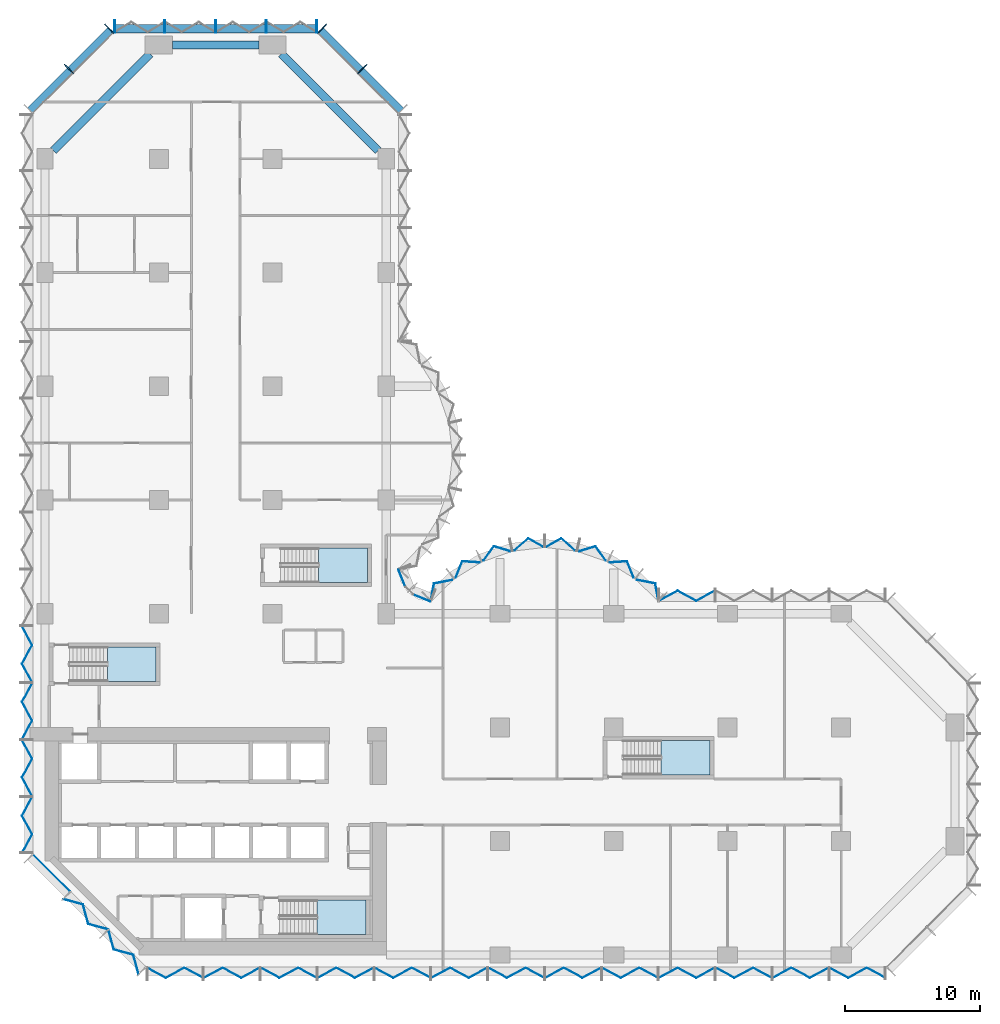
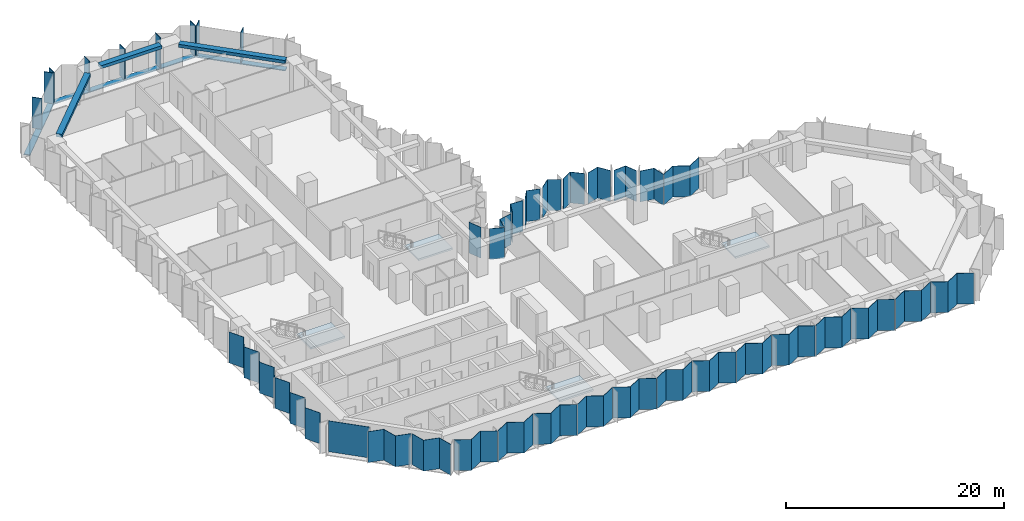
# One storey, part 5 of 15: 31 plates, 12 members, 4 slabs, 3 beams, 13 elements without a shape of their own.
"""IFC4 building model written with IfcOpenShell, lengths in metres."""

from ifc_helpers import new_model, si_unit, direction, frame, origin, origin_2d, place, context, subcontext, project, spatial, polyline, rectangle, outline, extrude, material, layer, layer_set, material_profile, profile_set, type_object, element, aggregate, save


model = new_model("IFC4")

# Units and contexts
model_context = context("Model", 3, precision=1e-05, world=origin(), true_north=direction((0.0, 1.0)))
body_context = subcontext(model_context, "Body", "Model", "MODEL_VIEW")
ifc_project = project(units=[si_unit("LENGTHUNIT", "METRE"), si_unit("AREAUNIT", "SQUARE_METRE"), si_unit("VOLUMEUNIT", "CUBIC_METRE"), si_unit("PLANEANGLEUNIT", "RADIAN"), si_unit("MASSUNIT", "GRAM", prefix="KILO")], contexts=[model_context])

# Site, building, storey
site_placement = place(None, origin())
site = spatial("IfcSite", under=ifc_project, at=site_placement, CompositionType="ELEMENT")
building_placement = place(site_placement, origin())
building = spatial("IfcBuilding", under=site, at=building_placement, Name="Brevane Broadcast Tower", CompositionType="ELEMENT")
storey_placement = place(building_placement, frame((0.0, 0.0, 83.300048828125)))
storey = spatial("IfcBuildingStorey", under=building, at=storey_placement, Name="L19", CompositionType="ELEMENT", Elevation=83.300048828125)

# Curtain wall, members
ifc_material_1 = material(Name="Aluminium 6063-T6 bronze anodised", Category="aluminium")
curtain_wall_type = type_object("IfcCurtainWallType", Name="CW-1 curtain wall", PredefinedType="NOTDEFINED", material=ifc_material_1)
curtain_wall_1_placement = place(storey_placement, origin())
curtain_wall_1 = element("IfcCurtainWall", 1, at=curtain_wall_1_placement, inside=storey, type_object=curtain_wall_type, Name="CW-1 typical tilted unit L19 north arm north-east chamfer", PredefinedType="NOTDEFINED")
ifc_material_profile_1 = material_profile(ifc_material_1, rectangle(XDim=0.949951171875, YDim=0.070068359375, at=origin_2d()), Name="RECT 70x950")
ifc_profile_set_1 = profile_set([ifc_material_profile_1], Name="Aluminium 6063-T6 bronze anodised")
member_type_1 = type_object("IfcMemberType", Name="CW-1 mullion 70x950", PredefinedType="MULLION", material=ifc_profile_set_1)
member_1_placement = place(storey_placement, frame((23.435791015625, 65.435791015625, -0.150146484375), z_axis=(0.0, 0.0, 1.0), x_axis=(-0.707106781187, -0.707106781187, 0.0)))
member_1 = element("IfcMember", 2, at=member_1_placement, type_object=member_type_1, Name="CW-1 mullion", PredefinedType="MULLION", context=body_context, shape_type="SweptSolid", body=[
    extrude(rectangle(XDim=0.949951171875, YDim=0.070068359375, at=origin_2d()), origin(), (0.0, 0.0, 1.0), 3.4501953125),
])
member_2_placement = place(storey_placement, frame((20.460693359375, 68.4111328125, -0.150146484375), z_axis=(0.0, 0.0, 1.0), x_axis=(-0.707106781187, -0.707106781187, 0.0)))
member_2 = element("IfcMember", 3, at=member_2_placement, type_object=member_type_1, Name="CW-1 mullion", PredefinedType="MULLION", context=body_context, shape_type="SweptSolid", body=[
    extrude(rectangle(XDim=0.949951171875, YDim=0.070068359375, at=origin_2d()), origin(), (0.0, 0.0, 1.0), 3.4501953125),
])

curtain_wall_2_placement = place(storey_placement, origin())
curtain_wall_2 = element("IfcCurtainWall", 4, at=curtain_wall_2_placement, inside=storey, type_object=curtain_wall_type, Name="CW-1 typical tilted unit L19 north end", PredefinedType="NOTDEFINED")
member_3_placement = place(storey_placement, frame((20.06494140625, 68.574951171875, -0.150146484375), z_axis=(0.0, 0.0, 1.0), x_axis=(0.0, -1.0, 0.0)))
member_3 = element("IfcMember", 5, at=member_3_placement, type_object=member_type_1, Name="CW-1 mullion", PredefinedType="MULLION", context=body_context, shape_type="SweptSolid", body=[
    extrude(rectangle(XDim=0.949951171875, YDim=0.070068359375, at=origin_2d()), origin(), (0.0, 0.0, 1.0), 3.4501953125),
])
member_4_placement = place(storey_placement, frame((16.35009765625, 68.574951171875, -0.150146484375), z_axis=(0.0, 0.0, 1.0), x_axis=(0.0, -1.0, 0.0)))
member_4 = element("IfcMember", 6, at=member_4_placement, type_object=member_type_1, Name="CW-1 mullion", PredefinedType="MULLION", context=body_context, shape_type="SweptSolid", body=[
    extrude(rectangle(XDim=0.949951171875, YDim=0.070068359375, at=origin_2d()), origin(), (0.0, 0.0, 1.0), 3.4501953125),
])
member_5_placement = place(storey_placement, frame((12.60009765625, 68.574951171875, -0.150146484375), z_axis=(0.0, 0.0, 1.0), x_axis=(0.0, -1.0, 0.0)))
member_5 = element("IfcMember", 7, at=member_5_placement, type_object=member_type_1, Name="CW-1 mullion", PredefinedType="MULLION", context=body_context, shape_type="SweptSolid", body=[
    extrude(rectangle(XDim=0.949951171875, YDim=0.070068359375, at=origin_2d()), origin(), (0.0, 0.0, 1.0), 3.4501953125),
])
member_6_placement = place(storey_placement, frame((8.85009765625, 68.574951171875, -0.150146484375), z_axis=(0.0, 0.0, 1.0), x_axis=(0.0, -1.0, 0.0)))
member_6 = element("IfcMember", 8, at=member_6_placement, type_object=member_type_1, Name="CW-1 mullion", PredefinedType="MULLION", context=body_context, shape_type="SweptSolid", body=[
    extrude(rectangle(XDim=0.949951171875, YDim=0.070068359375, at=origin_2d()), origin(), (0.0, 0.0, 1.0), 3.4501953125),
])
member_7_placement = place(storey_placement, frame((5.135009765625, 68.574951171875, -0.150146484375), z_axis=(0.0, 0.0, 1.0), x_axis=(0.0, -1.0, 0.0)))
member_7 = element("IfcMember", 9, at=member_7_placement, type_object=member_type_1, Name="CW-1 mullion", PredefinedType="MULLION", context=body_context, shape_type="SweptSolid", body=[
    extrude(rectangle(XDim=0.949951171875, YDim=0.070068359375, at=origin_2d()), origin(), (0.0, 0.0, 1.0), 3.4501953125),
])

curtain_wall_3_placement = place(storey_placement, origin())
curtain_wall_3 = element("IfcCurtainWall", 10, at=curtain_wall_3_placement, inside=storey, type_object=curtain_wall_type, Name="CW-1 typical tilted unit L19 north-west chamfer", PredefinedType="NOTDEFINED")
member_8_placement = place(storey_placement, frame((4.7392578125, 68.4111328125, -0.150146484375), z_axis=(0.0, 0.0, 1.0), x_axis=(0.707106781187, -0.707106781187, 0.0)))
member_8 = element("IfcMember", 11, at=member_8_placement, type_object=member_type_1, Name="CW-1 mullion", PredefinedType="MULLION", context=body_context, shape_type="SweptSolid", body=[
    extrude(rectangle(XDim=0.949951171875, YDim=0.070068359375, at=origin_2d()), origin(), (0.0, 0.0, 1.0), 3.4501953125),
])
member_9_placement = place(storey_placement, frame((1.76416015625, 65.435791015625, -0.150146484375), z_axis=(0.0, 0.0, 1.0), x_axis=(0.707106781187, -0.707106781187, 0.0)))
member_9 = element("IfcMember", 12, at=member_9_placement, type_object=member_type_1, Name="CW-1 mullion", PredefinedType="MULLION", context=body_context, shape_type="SweptSolid", body=[
    extrude(rectangle(XDim=0.949951171875, YDim=0.070068359375, at=origin_2d()), origin(), (0.0, 0.0, 1.0), 3.4501953125),
])

# Member
ifc_material_profile_2 = material_profile(ifc_material_1, rectangle(XDim=0.60009765625, YDim=0.10009765625, at=origin_2d()), Name="RECT 100x600")
ifc_profile_set_2 = profile_set([ifc_material_profile_2], Name="Aluminium 6063-T6 bronze anodised")
member_type_2 = type_object("IfcMemberType", Name="CW-1 transom 100x600", PredefinedType="USERDEFINED", material=ifc_profile_set_2)
member_10_placement = place(storey_placement, frame((26.31201171875, 62.31201171875, -0.199951171875), z_axis=(-0.707106781187, 0.707106781187, 0.0), x_axis=(-0.707106781187, -0.707106781187, 0.0)))
member_10 = element("IfcMember", 13, at=member_10_placement, type_object=member_type_2, Name="CW-1 transom", ObjectType="TRANSOM", PredefinedType="USERDEFINED", context=body_context, shape_type="SweptSolid", body=[
    extrude(rectangle(XDim=0.60009765625, YDim=0.10009765625, at=origin_2d()), origin(), (0.0, 0.0, 1.0), 8.4853515625),
])

aggregate(curtain_wall_1, [member_1, member_2, member_10])

member_11_placement = place(storey_placement, frame((20.10009765625, 68.39990234375, -0.199951171875), z_axis=(-1.0, 0.0, 0.0), x_axis=(0.0, -1.0, 0.0)))
member_11 = element("IfcMember", 14, at=member_11_placement, type_object=member_type_2, Name="CW-1 transom", ObjectType="TRANSOM", PredefinedType="USERDEFINED", context=body_context, shape_type="SweptSolid", body=[
    extrude(rectangle(XDim=0.60009765625, YDim=0.10009765625, at=origin_2d()), origin(), (0.0, 0.0, 1.0), 15.0),
])

aggregate(curtain_wall_2, [member_3, member_4, member_5, member_6, member_7, member_11])

member_12_placement = place(storey_placement, frame((4.887939453125, 68.31201171875, -0.199951171875), z_axis=(-0.707106781187, -0.707106781187, 0.0), x_axis=(0.707106781187, -0.707106781187, 0.0)))
member_12 = element("IfcMember", 15, at=member_12_placement, type_object=member_type_2, Name="CW-1 transom", ObjectType="TRANSOM", PredefinedType="USERDEFINED", context=body_context, shape_type="SweptSolid", body=[
    extrude(rectangle(XDim=0.60009765625, YDim=0.10009765625, at=origin_2d()), origin(), (0.0, 0.0, 1.0), 8.4853515625),
])

aggregate(curtain_wall_3, [member_8, member_9, member_12])

# Beams
ifc_material_2 = material(Name="Concrete C40/50", Category="concrete")
ifc_material_profile_3 = material_profile(ifc_material_2, rectangle(XDim=0.60009765625, YDim=0.35009765625, at=origin_2d()), Name="RC 600x350")
ifc_profile_set_3 = profile_set([ifc_material_profile_3], Name="Concrete C40/50")
beam_type = type_object("IfcBeamType", Name="RC SPANDREL BEAM 600x350 C40/50", PredefinedType="SPANDREL", material=ifc_profile_set_3)
beam_1_placement = place(storey_placement, frame((24.60009765625, 59.39990234375, 3.125), z_axis=(-0.707106781187, 0.707106781187, 0.0), x_axis=(-0.707106781187, -0.707106781187, 0.0)))
element("IfcBeam", 16, at=beam_1_placement, inside=storey, type_object=beam_type, Name="EB1 L19-16", PredefinedType="SPANDREL", context=body_context, shape_type="SweptSolid", body=[
    extrude(rectangle(XDim=0.60009765625, YDim=0.35009765625, at=origin_2d()), origin(), (0.0, 0.0, 1.0), 10.11181640625),
])
beam_2_placement = place(storey_placement, frame((15.800048828125, 67.199951171875, 3.125), z_axis=(-1.0, 0.0, 0.0), x_axis=(0.0, -1.0, 0.0)))
element("IfcBeam", 17, at=beam_2_placement, inside=storey, type_object=beam_type, Name="EB1 L19-17", PredefinedType="SPANDREL", context=body_context, shape_type="SweptSolid", body=[
    extrude(rectangle(XDim=0.60009765625, YDim=0.35009765625, at=origin_2d()), origin(), (0.0, 0.0, 1.0), 6.400146484375),
])
beam_3_placement = place(storey_placement, frame((7.75, 66.550048828125, 3.125), z_axis=(-0.707094708853, -0.707118853314, 0.0), x_axis=(0.707118853314, -0.707094708853, 0.0)))
element("IfcBeam", 18, at=beam_3_placement, inside=storey, type_object=beam_type, Name="EB1 L19-18", PredefinedType="SPANDREL", context=body_context, shape_type="SweptSolid", body=[
    extrude(rectangle(XDim=0.60009765625, YDim=0.35009765625, at=origin_2d()), origin(), (0.0, 0.0, 1.0), 10.111572265625),
])

# Curtain wall, plates
curtain_wall_4_placement = place(storey_placement, origin())
curtain_wall_4 = element("IfcCurtainWall", 19, at=curtain_wall_4_placement, inside=storey, type_object=curtain_wall_type, Name="CW-1 typical tilted unit L19 south face", PredefinedType="NOTDEFINED")
ifc_material_3 = material(Name="Laminated glass bronze-tinted", Category="glass")
ifc_layer_1 = layer(ifc_material_3, 0.0400390625)
ifc_layer_set_1 = layer_set([ifc_layer_1], Name="CW tall glass panel 40")
plate_type = type_object("IfcPlateType", Name="CW tall glass panel 40", PredefinedType="CURTAIN_PANEL", material=ifc_layer_set_1)
plate_1_placement = place(storey_placement, frame((0.0, 0.0, -0.150146484375)))
plate_1 = element("IfcPlate", 20, at=plate_1_placement, type_object=plate_type, Name="CW-1 glass panel", PredefinedType="CURTAIN_PANEL", context=body_context, shape_type="SweptSolid", body=[
    extrude(outline(polyline([(7.534912109375, -0.92724609375), (7.534912109375, -0.97265625), (8.91162109375, -1.717041015625), (10.288330078125, -0.97265625), (11.6650390625, -1.717041015625), (11.6650390625, -1.671630859375), (10.288330078125, -0.92724609375), (8.91162109375, -1.671630859375), (7.534912109375, -0.92724609375)])), origin(), (0.0, 0.0, 1.0), 3.4501953125),
])
plate_2_placement = place(storey_placement, frame((0.0, 0.0, -0.150146484375)))
plate_2 = element("IfcPlate", 21, at=plate_2_placement, type_object=plate_type, Name="CW-1 glass panel", PredefinedType="CURTAIN_PANEL", context=body_context, shape_type="SweptSolid", body=[
    extrude(outline(polyline([(11.735107421875, -1.671630859375), (11.735107421875, -1.717041015625), (13.11181640625, -0.97265625), (14.48828125, -1.717041015625), (15.864990234375, -0.97265625), (15.864990234375, -0.92724609375), (14.48828125, -1.671630859375), (13.11181640625, -0.92724609375), (11.735107421875, -1.671630859375)])), origin(), (0.0, 0.0, 1.0), 3.4501953125),
])
plate_3_placement = place(storey_placement, frame((0.0, 0.0, -0.150146484375)))
plate_3 = element("IfcPlate", 22, at=plate_3_placement, type_object=plate_type, Name="CW-1 glass panel", PredefinedType="CURTAIN_PANEL", context=body_context, shape_type="SweptSolid", body=[
    extrude(outline(polyline([(15.93505859375, -0.92724609375), (15.93505859375, -0.97265625), (17.311767578125, -1.717041015625), (18.688232421875, -0.97265625), (20.06494140625, -1.717041015625), (20.06494140625, -1.671630859375), (18.688232421875, -0.92724609375), (17.311767578125, -1.671630859375), (15.93505859375, -0.92724609375)])), origin(), (0.0, 0.0, 1.0), 3.4501953125),
])
plate_4_placement = place(storey_placement, frame((0.0, 0.0, -0.150146484375)))
plate_4 = element("IfcPlate", 23, at=plate_4_placement, type_object=plate_type, Name="CW-1 glass panel", PredefinedType="CURTAIN_PANEL", context=body_context, shape_type="SweptSolid", body=[
    extrude(outline(polyline([(20.135009765625, -1.671630859375), (20.135009765625, -1.717041015625), (21.51171875, -0.97265625), (22.88818359375, -1.717041015625), (24.264892578125, -0.97265625), (24.264892578125, -0.92724609375), (22.88818359375, -1.671630859375), (21.51171875, -0.92724609375), (20.135009765625, -1.671630859375)])), origin(), (0.0, 0.0, 1.0), 3.4501953125),
])
plate_5_placement = place(storey_placement, frame((0.0, 0.0, -0.150146484375)))
plate_5 = element("IfcPlate", 24, at=plate_5_placement, type_object=plate_type, Name="CW-1 glass panel", PredefinedType="CURTAIN_PANEL", context=body_context, shape_type="SweptSolid", body=[
    extrude(outline(polyline([(24.3349609375, -0.92724609375), (24.3349609375, -0.97265625), (25.711669921875, -1.717041015625), (27.08837890625, -0.97265625), (28.465087890625, -1.717041015625), (28.465087890625, -1.671630859375), (27.08837890625, -0.92724609375), (25.711669921875, -1.671630859375), (24.3349609375, -0.92724609375)])), origin(), (0.0, 0.0, 1.0), 3.4501953125),
])
plate_6_placement = place(storey_placement, frame((0.0, 0.0, -0.150146484375)))
plate_6 = element("IfcPlate", 25, at=plate_6_placement, type_object=plate_type, Name="CW-1 glass panel", PredefinedType="CURTAIN_PANEL", context=body_context, shape_type="SweptSolid", body=[
    extrude(outline(polyline([(28.534912109375, -1.671630859375), (28.534912109375, -1.717041015625), (29.91162109375, -0.97265625), (31.288330078125, -1.717041015625), (32.6650390625, -0.97265625), (32.6650390625, -0.92724609375), (31.288330078125, -1.671630859375), (29.91162109375, -0.92724609375), (28.534912109375, -1.671630859375)])), origin(), (0.0, 0.0, 1.0), 3.4501953125),
])
plate_7_placement = place(storey_placement, frame((0.0, 0.0, -0.150146484375)))
plate_7 = element("IfcPlate", 26, at=plate_7_placement, type_object=plate_type, Name="CW-1 glass panel", PredefinedType="CURTAIN_PANEL", context=body_context, shape_type="SweptSolid", body=[
    extrude(outline(polyline([(32.735107421875, -0.92724609375), (32.735107421875, -0.97265625), (34.11181640625, -1.717041015625), (35.48828125, -0.97265625), (36.864990234375, -1.717041015625), (36.864990234375, -1.671630859375), (35.48828125, -0.92724609375), (34.11181640625, -1.671630859375), (32.735107421875, -0.92724609375)])), origin(), (0.0, 0.0, 1.0), 3.4501953125),
])
plate_8_placement = place(storey_placement, frame((0.0, 0.0, -0.150146484375)))
plate_8 = element("IfcPlate", 27, at=plate_8_placement, type_object=plate_type, Name="CW-1 glass panel", PredefinedType="CURTAIN_PANEL", context=body_context, shape_type="SweptSolid", body=[
    extrude(outline(polyline([(36.93505859375, -1.671630859375), (36.93505859375, -1.717041015625), (38.311767578125, -0.97265625), (39.688232421875, -1.717041015625), (41.06494140625, -0.97265625), (41.06494140625, -0.92724609375), (39.688232421875, -1.671630859375), (38.311767578125, -0.92724609375), (36.93505859375, -1.671630859375)])), origin(), (0.0, 0.0, 1.0), 3.4501953125),
])
plate_9_placement = place(storey_placement, frame((0.0, 0.0, -0.150146484375)))
plate_9 = element("IfcPlate", 28, at=plate_9_placement, type_object=plate_type, Name="CW-1 glass panel", PredefinedType="CURTAIN_PANEL", context=body_context, shape_type="SweptSolid", body=[
    extrude(outline(polyline([(41.135009765625, -0.92724609375), (41.135009765625, -0.97265625), (42.51171875, -1.717041015625), (43.88818359375, -0.97265625), (45.264892578125, -1.717041015625), (45.264892578125, -1.671630859375), (43.88818359375, -0.92724609375), (42.51171875, -1.671630859375), (41.135009765625, -0.92724609375)])), origin(), (0.0, 0.0, 1.0), 3.4501953125),
])
plate_10_placement = place(storey_placement, frame((0.0, 0.0, -0.150146484375)))
plate_10 = element("IfcPlate", 29, at=plate_10_placement, type_object=plate_type, Name="CW-1 glass panel", PredefinedType="CURTAIN_PANEL", context=body_context, shape_type="SweptSolid", body=[
    extrude(outline(polyline([(45.3349609375, -1.671630859375), (45.3349609375, -1.717041015625), (46.711669921875, -0.97265625), (48.08837890625, -1.717041015625), (49.465087890625, -0.97265625), (49.465087890625, -0.92724609375), (48.08837890625, -1.671630859375), (46.711669921875, -0.92724609375), (45.3349609375, -1.671630859375)])), origin(), (0.0, 0.0, 1.0), 3.4501953125),
])
plate_11_placement = place(storey_placement, frame((0.0, 0.0, -0.150146484375)))
plate_11 = element("IfcPlate", 30, at=plate_11_placement, type_object=plate_type, Name="CW-1 glass panel", PredefinedType="CURTAIN_PANEL", context=body_context, shape_type="SweptSolid", body=[
    extrude(outline(polyline([(49.534912109375, -0.92724609375), (49.534912109375, -0.97265625), (50.91162109375, -1.717041015625), (52.288330078125, -0.97265625), (53.6650390625, -1.717041015625), (53.6650390625, -1.671630859375), (52.288330078125, -0.92724609375), (50.91162109375, -1.671630859375), (49.534912109375, -0.92724609375)])), origin(), (0.0, 0.0, 1.0), 3.4501953125),
])
plate_12_placement = place(storey_placement, frame((0.0, 0.0, -0.150146484375)))
plate_12 = element("IfcPlate", 31, at=plate_12_placement, type_object=plate_type, Name="CW-1 glass panel", PredefinedType="CURTAIN_PANEL", context=body_context, shape_type="SweptSolid", body=[
    extrude(outline(polyline([(53.735107421875, -1.671630859375), (53.735107421875, -1.717041015625), (55.11181640625, -0.97265625), (56.48828125, -1.717041015625), (57.864990234375, -0.97265625), (57.864990234375, -0.92724609375), (56.48828125, -1.671630859375), (55.11181640625, -0.92724609375), (53.735107421875, -1.671630859375)])), origin(), (0.0, 0.0, 1.0), 3.4501953125),
])
plate_13_placement = place(storey_placement, frame((0.0, 0.0, -0.150146484375)))
plate_13 = element("IfcPlate", 32, at=plate_13_placement, type_object=plate_type, Name="CW-1 glass panel", PredefinedType="CURTAIN_PANEL", context=body_context, shape_type="SweptSolid", body=[
    extrude(outline(polyline([(57.93505859375, -0.92724609375), (57.93505859375, -0.97265625), (59.311767578125, -1.717041015625), (60.688232421875, -0.97265625), (62.06494140625, -1.717041015625), (62.06494140625, -1.671630859375), (60.688232421875, -0.92724609375), (59.311767578125, -1.671630859375), (57.93505859375, -0.92724609375)])), origin(), (0.0, 0.0, 1.0), 3.4501953125),
])
aggregate(curtain_wall_4, [plate_1, plate_2, plate_3, plate_4, plate_5, plate_6, plate_7, plate_8, plate_9, plate_10, plate_11, plate_12, plate_13])

# Curtain wall, plate
curtain_wall_5_placement = place(storey_placement, origin())
curtain_wall_5 = element("IfcCurtainWall", 33, at=curtain_wall_5_placement, inside=storey, type_object=curtain_wall_type, Name="CW-1 typical tilted unit L19 east arm north face", PredefinedType="NOTDEFINED")
plate_14_placement = place(storey_placement, frame((0.0, 0.0, -0.150146484375)))
plate_14 = element("IfcPlate", 34, at=plate_14_placement, type_object=plate_type, Name="CW-1 glass panel", PredefinedType="CURTAIN_PANEL", context=body_context, shape_type="SweptSolid", body=[
    extrude(outline(polyline([(49.465087890625, 26.87158203125), (49.465087890625, 26.9169921875), (48.08837890625, 26.172607421875), (46.711669921875, 26.9169921875), (45.3349609375, 26.172607421875), (45.3349609375, 26.127197265625), (46.711669921875, 26.87158203125), (48.08837890625, 26.127197265625), (49.465087890625, 26.87158203125)])), origin(), (0.0, 0.0, 1.0), 3.4501953125),
])
aggregate(curtain_wall_5, [plate_14])

# Curtain wall, plates
curtain_wall_6_placement = place(storey_placement, origin())
curtain_wall_6 = element("IfcCurtainWall", 35, at=curtain_wall_6_placement, inside=storey, type_object=curtain_wall_type, Name="CW-1 typical tilted unit L19 east bow", PredefinedType="NOTDEFINED")
plate_15_placement = place(storey_placement, frame((0.0, 0.0, -0.150146484375)))
plate_15 = element("IfcPlate", 36, at=plate_15_placement, type_object=plate_type, Name="CW-1 glass panel", PredefinedType="CURTAIN_PANEL", context=body_context, shape_type="SweptSolid", body=[
    extrude(outline(polyline([(45.2939453125, 26.14404296875), (45.327880859375, 26.17919921875), (45.086181640625, 27.447265625), (43.738525390625, 27.71142578125), (43.7109375, 27.67626953125), (45.052001953125, 27.4130859375), (45.2939453125, 26.14404296875)])), origin(), (0.0, 0.0, 1.0), 3.4501953125),
])
plate_16_placement = place(storey_placement, frame((0.0, 0.0, -0.150146484375)))
plate_16 = element("IfcPlate", 37, at=plate_16_placement, type_object=plate_type, Name="CW-1 glass panel", PredefinedType="CURTAIN_PANEL", context=body_context, shape_type="SweptSolid", body=[
    extrude(outline(polyline([(43.45703125, 27.8759765625), (43.4853515625, 27.912109375), (43.00390625, 29.089111328125), (41.710693359375, 29.006591796875), (41.69091796875, 28.96533203125), (42.977783203125, 29.04736328125), (43.45703125, 27.8759765625)])), origin(), (0.0, 0.0, 1.0), 3.4501953125),
])
plate_17_placement = place(storey_placement, frame((0.0, 0.0, -0.150146484375)))
plate_17 = element("IfcPlate", 38, at=plate_17_placement, type_object=plate_type, Name="CW-1 glass panel", PredefinedType="CURTAIN_PANEL", context=body_context, shape_type="SweptSolid", body=[
    extrude(outline(polyline([(41.3994140625, 29.104248046875), (41.4189453125, 29.1455078125), (40.667724609375, 30.20166015625), (39.45068359375, 29.83349609375), (39.440185546875, 29.78857421875), (40.65185546875, 30.155029296875), (41.3994140625, 29.104248046875)])), origin(), (0.0, 0.0, 1.0), 3.4501953125),
])
plate_18_placement = place(storey_placement, frame((0.0, 0.0, -0.150146484375)))
plate_18 = element("IfcPlate", 39, at=plate_18_placement, type_object=plate_type, Name="CW-1 glass panel", PredefinedType="CURTAIN_PANEL", context=body_context, shape_type="SweptSolid", body=[
    extrude(outline(polyline([(39.125, 29.859619140625), (39.13525390625, 29.903564453125), (38.116943359375, 30.779296875), (37.008056640625, 30.15869140625), (37.008056640625, 30.11279296875), (38.112060546875, 30.730712890625), (39.125, 29.859619140625)])), origin(), (0.0, 0.0, 1.0), 3.4501953125),
])
plate_19_placement = place(storey_placement, frame((0.0, 0.0, -0.150146484375)))
plate_19 = element("IfcPlate", 40, at=plate_19_placement, type_object=plate_type, Name="CW-1 glass panel", PredefinedType="CURTAIN_PANEL", context=body_context, shape_type="SweptSolid", body=[
    extrude(outline(polyline([(36.7919921875, 30.11279296875), (36.7919921875, 30.15869140625), (35.68310546875, 30.779296875), (34.664794921875, 29.903564453125), (34.6748046875, 29.859619140625), (35.68798828125, 30.730712890625), (36.7919921875, 30.11279296875)])), origin(), (0.0, 0.0, 1.0), 3.4501953125),
])
plate_20_placement = place(storey_placement, frame((0.0, 0.0, -0.150146484375)))
plate_20 = element("IfcPlate", 41, at=plate_20_placement, type_object=plate_type, Name="CW-1 glass panel", PredefinedType="CURTAIN_PANEL", context=body_context, shape_type="SweptSolid", body=[
    extrude(outline(polyline([(34.359619140625, 29.78857421875), (34.349365234375, 29.83349609375), (33.132080078125, 30.20166015625), (32.381103515625, 29.1455078125), (32.400634765625, 29.104248046875), (33.148193359375, 30.155029296875), (34.359619140625, 29.78857421875)])), origin(), (0.0, 0.0, 1.0), 3.4501953125),
])
plate_21_placement = place(storey_placement, frame((0.0, 0.0, -0.150146484375)))
plate_21 = element("IfcPlate", 42, at=plate_21_placement, type_object=plate_type, Name="CW-1 glass panel", PredefinedType="CURTAIN_PANEL", context=body_context, shape_type="SweptSolid", body=[
    extrude(outline(polyline([(32.10888671875, 28.96533203125), (32.08935546875, 29.006591796875), (30.7958984375, 29.089111328125), (30.314697265625, 27.912109375), (30.343017578125, 27.8759765625), (30.822265625, 29.04736328125), (32.10888671875, 28.96533203125)])), origin(), (0.0, 0.0, 1.0), 3.4501953125),
])
plate_22_placement = place(storey_placement, frame((0.0, 0.0, -0.150146484375)))
plate_22 = element("IfcPlate", 43, at=plate_22_placement, type_object=plate_type, Name="CW-1 glass panel", PredefinedType="CURTAIN_PANEL", context=body_context, shape_type="SweptSolid", body=[
    extrude(outline(polyline([(30.089111328125, 27.67626953125), (30.0615234375, 27.71142578125), (28.7138671875, 27.447265625), (28.471923828125, 26.17919921875), (28.506103515625, 26.14404296875), (28.748046875, 27.4130859375), (30.089111328125, 27.67626953125)])), origin(), (0.0, 0.0, 1.0), 3.4501953125),
])
aggregate(curtain_wall_6, [plate_15, plate_16, plate_17, plate_18, plate_19, plate_20, plate_21, plate_22])

curtain_wall_7_placement = place(storey_placement, origin())
curtain_wall_7 = element("IfcCurtainWall", 44, at=curtain_wall_7_placement, inside=storey, type_object=curtain_wall_type, Name="CW-1 typical tilted unit L19 inner corner", PredefinedType="NOTDEFINED")
plate_23_placement = place(storey_placement, frame((0.0, 0.0, -0.150146484375)))
plate_23 = element("IfcPlate", 45, at=plate_23_placement, type_object=plate_type, Name="CW-1 glass panel", PredefinedType="CURTAIN_PANEL", context=body_context, shape_type="SweptSolid", body=[
    extrude(outline(polyline([(28.45166015625, 26.07470703125), (28.466796875, 26.111572265625), (27.2021484375, 26.635498046875), (27.17138671875, 26.60498046875), (28.45166015625, 26.07470703125)])), origin(), (0.0, 0.0, 1.0), 3.4501953125),
])
plate_24_placement = place(storey_placement, frame((0.0, 0.0, -0.150146484375)))
plate_24 = element("IfcPlate", 46, at=plate_24_placement, type_object=plate_type, Name="CW-1 glass panel", PredefinedType="CURTAIN_PANEL", context=body_context, shape_type="SweptSolid", body=[
    extrude(outline(polyline([(26.60498046875, 27.17138671875), (26.635498046875, 27.2021484375), (26.111572265625, 28.466796875), (26.07470703125, 28.45166015625), (26.60498046875, 27.17138671875)])), origin(), (0.0, 0.0, 1.0), 3.4501953125),
])
aggregate(curtain_wall_7, [plate_23, plate_24])

curtain_wall_8_placement = place(storey_placement, origin())
curtain_wall_8 = element("IfcCurtainWall", 47, at=curtain_wall_8_placement, inside=storey, type_object=curtain_wall_type, Name="CW-1 typical tilted unit L19 west face", PredefinedType="NOTDEFINED")
plate_25_placement = place(storey_placement, frame((0.0, 0.0, -0.150146484375)))
plate_25 = element("IfcPlate", 48, at=plate_25_placement, type_object=plate_type, Name="CW-1 glass panel", PredefinedType="CURTAIN_PANEL", context=body_context, shape_type="SweptSolid", body=[
    extrude(outline(polyline([(-1.671630859375, 24.264892578125), (-1.717041015625, 24.264892578125), (-0.97265625, 22.88818359375), (-1.717041015625, 21.51171875), (-0.97265625, 20.135009765625), (-0.92724609375, 20.135009765625), (-1.671630859375, 21.51171875), (-0.92724609375, 22.88818359375), (-1.671630859375, 24.264892578125)])), origin(), (0.0, 0.0, 1.0), 3.4501953125),
])
plate_26_placement = place(storey_placement, frame((0.0, 0.0, -0.150146484375)))
plate_26 = element("IfcPlate", 49, at=plate_26_placement, type_object=plate_type, Name="CW-1 glass panel", PredefinedType="CURTAIN_PANEL", context=body_context, shape_type="SweptSolid", body=[
    extrude(outline(polyline([(-0.92724609375, 20.06494140625), (-0.97265625, 20.06494140625), (-1.717041015625, 18.688232421875), (-0.97265625, 17.311767578125), (-1.717041015625, 15.93505859375), (-1.671630859375, 15.93505859375), (-0.92724609375, 17.311767578125), (-1.671630859375, 18.688232421875), (-0.92724609375, 20.06494140625)])), origin(), (0.0, 0.0, 1.0), 3.4501953125),
])
plate_27_placement = place(storey_placement, frame((0.0, 0.0, -0.150146484375)))
plate_27 = element("IfcPlate", 50, at=plate_27_placement, type_object=plate_type, Name="CW-1 glass panel", PredefinedType="CURTAIN_PANEL", context=body_context, shape_type="SweptSolid", body=[
    extrude(outline(polyline([(-1.671630859375, 15.864990234375), (-1.717041015625, 15.864990234375), (-0.97265625, 14.48828125), (-1.717041015625, 13.11181640625), (-0.97265625, 11.735107421875), (-0.92724609375, 11.735107421875), (-1.671630859375, 13.11181640625), (-0.92724609375, 14.48828125), (-1.671630859375, 15.864990234375)])), origin(), (0.0, 0.0, 1.0), 3.4501953125),
])
plate_28_placement = place(storey_placement, frame((0.0, 0.0, -0.150146484375)))
plate_28 = element("IfcPlate", 51, at=plate_28_placement, type_object=plate_type, Name="CW-1 glass panel", PredefinedType="CURTAIN_PANEL", context=body_context, shape_type="SweptSolid", body=[
    extrude(outline(polyline([(-0.92724609375, 11.6650390625), (-0.97265625, 11.6650390625), (-1.717041015625, 10.288330078125), (-0.97265625, 8.91162109375), (-1.717041015625, 7.534912109375), (-1.671630859375, 7.534912109375), (-0.92724609375, 8.91162109375), (-1.671630859375, 10.288330078125), (-0.92724609375, 11.6650390625)])), origin(), (0.0, 0.0, 1.0), 3.4501953125),
])
aggregate(curtain_wall_8, [plate_25, plate_26, plate_27, plate_28])

curtain_wall_9_placement = place(storey_placement, origin())
curtain_wall_9 = element("IfcCurtainWall", 52, at=curtain_wall_9_placement, inside=storey, type_object=curtain_wall_type, Name="CW-1 typical tilted unit L19 south-west chamfer", PredefinedType="NOTDEFINED")
plate_29_placement = place(storey_placement, frame((0.0, 0.0, -0.150146484375)))
plate_29 = element("IfcPlate", 53, at=plate_29_placement, type_object=plate_type, Name="CW-1 glass panel", PredefinedType="CURTAIN_PANEL", context=body_context, shape_type="SweptSolid", body=[
    extrude(outline(polyline([(-0.896484375, 7.4541015625), (1.85400390625, 4.70361328125), (1.82568359375, 4.67529296875), (-0.9248046875, 7.42578125), (-0.896484375, 7.4541015625)])), origin(), (0.0, 0.0, 1.0), 3.4501953125),
])
plate_30_placement = place(storey_placement, frame((0.0, 0.0, -0.150146484375)))
plate_30 = element("IfcPlate", 54, at=plate_30_placement, type_object=plate_type, Name="CW-1 glass panel", PredefinedType="CURTAIN_PANEL", context=body_context, shape_type="SweptSolid", body=[
    extrude(outline(polyline([(1.37939453125, 4.1298828125), (1.3466796875, 4.09716796875), (2.789794921875, 3.706787109375), (3.180419921875, 2.263671875), (4.62353515625, 1.873046875), (4.65625, 1.90576171875), (3.212890625, 2.296142578125), (2.822509765625, 3.739501953125), (1.37939453125, 4.1298828125)])), origin(), (0.0, 0.0, 1.0), 3.4501953125),
])
plate_31_placement = place(storey_placement, frame((0.0, 0.0, -0.150146484375)))
plate_31 = element("IfcPlate", 55, at=plate_31_placement, type_object=plate_type, Name="CW-1 glass panel", PredefinedType="CURTAIN_PANEL", context=body_context, shape_type="SweptSolid", body=[
    extrude(outline(polyline([(4.705810546875, 1.856201171875), (4.673095703125, 1.823486328125), (5.063720703125, 0.38037109375), (6.5068359375, -0.010009765625), (6.897216796875, -1.453369140625), (6.9296875, -1.420654296875), (6.539306640625, 0.0224609375), (5.09619140625, 0.4130859375), (4.705810546875, 1.856201171875)])), origin(), (0.0, 0.0, 1.0), 3.4501953125),
])
aggregate(curtain_wall_9, [plate_29, plate_30, plate_31])

# Stair, slab
ifc_material_4 = material(Name="Concrete C50/60", Category="concrete")
stair_type = type_object("IfcStairType", Name="Exit stair 22 risers", PredefinedType="HALF_TURN_STAIR", material=ifc_material_4)
stair_1_placement = place(storey_placement, origin())
stair_1 = element("IfcStair", 56, at=stair_1_placement, inside=storey, type_object=stair_type, Name="L19 Exit stair ST-1", PredefinedType="HALF_TURN_STAIR")
ifc_layer_2 = layer(ifc_material_4, 0.199951171875)
ifc_layer_set_2 = layer_set([ifc_layer_2], Name="Exit stair landing")
slab_type = type_object("IfcSlabType", Name="Exit stair landing", PredefinedType="LANDING", material=ifc_layer_set_2)
slab_1_placement = place(storey_placement, frame((0.0, 0.0, 1.599853515625)))
slab_1 = element("IfcSlab", 57, at=slab_1_placement, type_object=slab_type, Name="ST-1 landing 1", PredefinedType="LANDING", context=body_context, shape_type="SweptSolid", body=[
    extrude(outline(polyline([(4.60009765625, 20.199951171875), (8.199951171875, 20.199951171875), (8.199951171875, 22.75), (4.60009765625, 22.75), (4.60009765625, 20.199951171875)])), origin(), (0.0, 0.0, 1.0), 0.2001953125),
])
aggregate(stair_1, [slab_1])

stair_2_placement = place(storey_placement, origin())
stair_2 = element("IfcStair", 58, at=stair_2_placement, inside=storey, type_object=stair_type, Name="L19 Exit stair ST-2", PredefinedType="HALF_TURN_STAIR")
slab_2_placement = place(storey_placement, frame((0.0, 0.0, 1.599853515625)))
slab_2 = element("IfcSlab", 59, at=slab_2_placement, type_object=slab_type, Name="ST-2 landing 1", PredefinedType="LANDING", context=body_context, shape_type="SweptSolid", body=[
    extrude(outline(polyline([(20.10009765625, 1.5), (23.699951171875, 1.5), (23.699951171875, 4.050048828125), (20.10009765625, 4.050048828125), (20.10009765625, 1.5)])), origin(), (0.0, 0.0, 1.0), 0.2001953125),
])
aggregate(stair_2, [slab_2])

stair_3_placement = place(storey_placement, origin())
stair_3 = element("IfcStair", 60, at=stair_3_placement, inside=storey, type_object=stair_type, Name="L19 Exit stair ST-3", PredefinedType="HALF_TURN_STAIR")
slab_3_placement = place(storey_placement, frame((0.0, 0.0, 1.599853515625)))
slab_3 = element("IfcSlab", 61, at=slab_3_placement, type_object=slab_type, Name="ST-3 landing 1", PredefinedType="LANDING", context=body_context, shape_type="SweptSolid", body=[
    extrude(outline(polyline([(20.199951171875, 27.5), (23.800048828125, 27.5), (23.800048828125, 30.050048828125), (20.199951171875, 30.050048828125), (20.199951171875, 27.5)])), origin(), (0.0, 0.0, 1.0), 0.2001953125),
])
aggregate(stair_3, [slab_3])

stair_4_placement = place(storey_placement, origin())
stair_4 = element("IfcStair", 62, at=stair_4_placement, inside=storey, type_object=stair_type, Name="L19 Exit stair ST-4", PredefinedType="HALF_TURN_STAIR")
slab_4_placement = place(storey_placement, frame((0.0, 0.0, 1.599853515625)))
slab_4 = element("IfcSlab", 63, at=slab_4_placement, type_object=slab_type, Name="ST-4 landing 1", PredefinedType="LANDING", context=body_context, shape_type="SweptSolid", body=[
    extrude(outline(polyline([(45.5, 13.300048828125), (49.10009765625, 13.300048828125), (49.10009765625, 15.85009765625), (45.5, 15.85009765625), (45.5, 13.300048828125)])), origin(), (0.0, 0.0, 1.0), 0.2001953125),
])
aggregate(stair_4, [slab_4])

save(model, "model.ifc")
